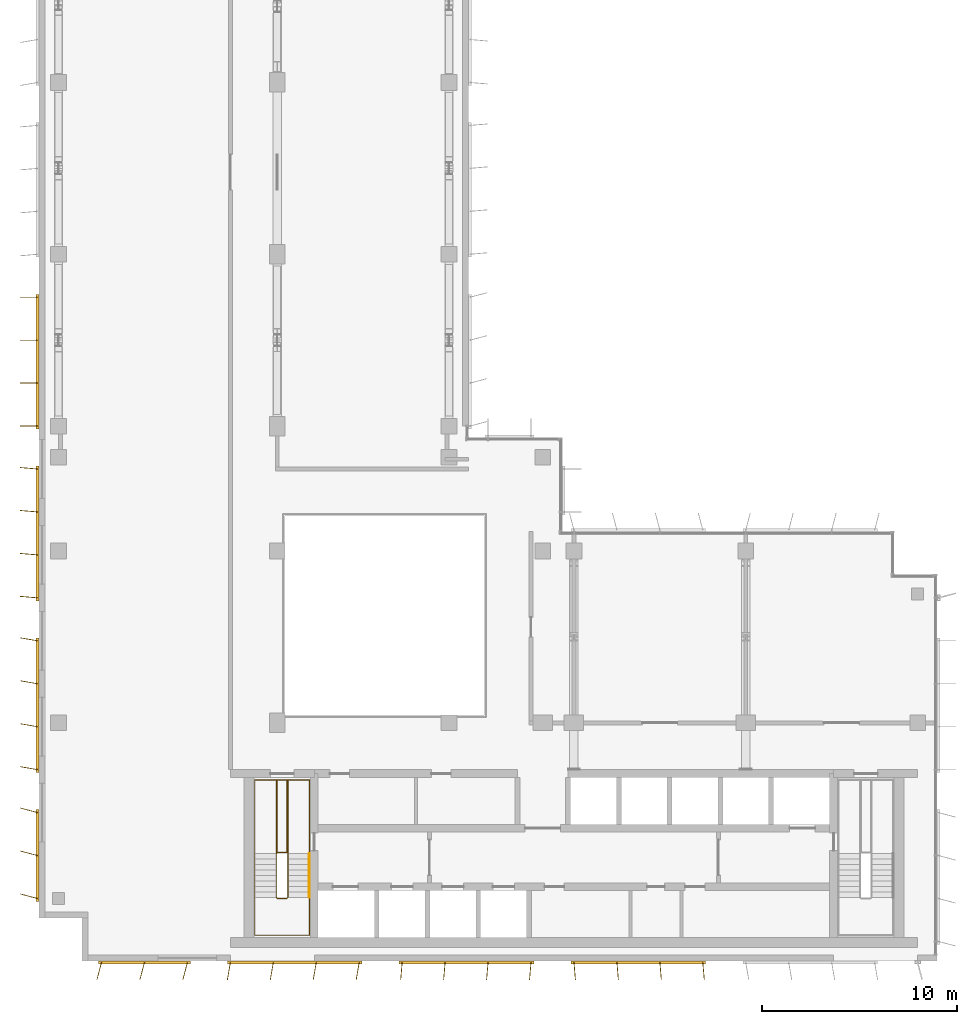
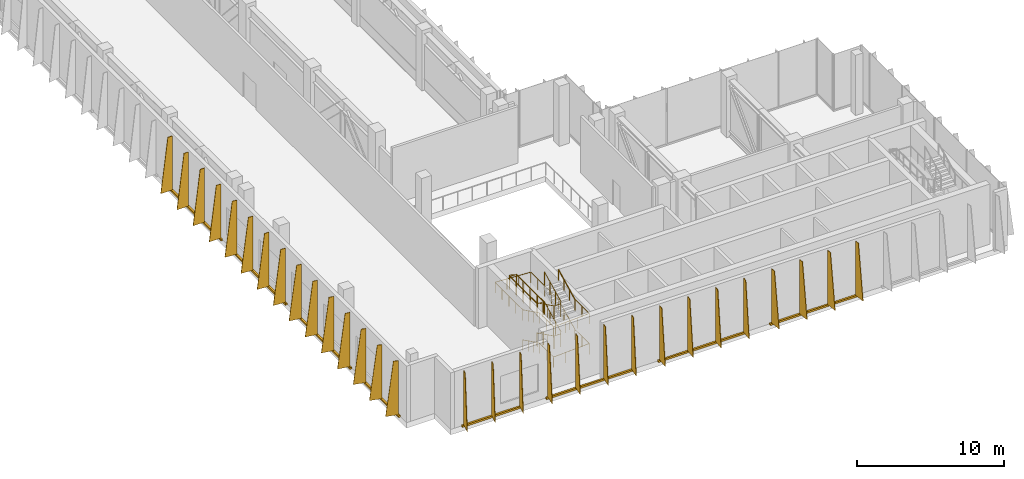
# One storey, part 10 of 13: 8 shading devices, 4 railings.
"""IFC4 building model written with IfcOpenShell, lengths in metres."""

from ifc_helpers import new_model, si_unit, direction, frame, origin, origin_2d, place, context, subcontext, project, spatial, polyline, rectangle, circle, outline, extrude, source, transform, mapped, material, layer, layer_set, type_object, element, save


model = new_model("IFC4")

# Units and contexts
model_context = context("Model", 3, precision=1e-05, world=origin(), true_north=direction((0.0, 1.0)))
body_context = subcontext(model_context, "Body", "Model", "MODEL_VIEW")
ifc_project = project(units=[si_unit("LENGTHUNIT", "METRE"), si_unit("AREAUNIT", "SQUARE_METRE"), si_unit("VOLUMEUNIT", "CUBIC_METRE"), si_unit("PLANEANGLEUNIT", "RADIAN"), si_unit("MASSUNIT", "GRAM", prefix="KILO")], contexts=[model_context])

# Site, building, storey
site_placement = place(None, origin())
site = spatial("IfcSite", under=ifc_project, at=site_placement, CompositionType="ELEMENT")
building_placement = place(site_placement, origin())
building = spatial("IfcBuilding", under=site, at=building_placement, Name="Kemantara Hotel Tower", CompositionType="ELEMENT")
storey_placement = place(building_placement, frame((0.0, 0.0, 256.10009765625)))
storey = spatial("IfcBuildingStorey", under=building, at=storey_placement, Name="L64", CompositionType="ELEMENT", Elevation=256.10009765625)

# Railings
ifc_material_1 = material(Name="Stainless steel balustrade", Category="steel")
railing_type_1 = type_object("IfcRailingType", Name="Stair guard 1100 mm", PredefinedType="GUARDRAIL", material=ifc_material_1)
railing_1_placement = place(storey_placement, frame((12.75, 5.5, 5.0)))
element("IfcRailing", 1, at=railing_1_placement, inside=storey, type_object=railing_type_1, Name="L64 ST1 stair guard 1", PredefinedType="GUARDRAIL", context=body_context, shape_type="SweptSolid", body=[
    extrude(circle(Radius=0.02392578125, at=origin_2d()), frame((0.0, 0.0, 1.076171875), z_axis=(0.0, -0.895809322535, -0.44443858705), x_axis=(1.0, 0.0, 0.0)), (0.0, 0.0, 1.0), 2.50048828125),
    extrude(circle(Radius=0.02392578125, at=origin_2d()), frame((0.0, -2.239990234375, -0.03515625), z_axis=(-0.321462751274, -0.321462751274, -0.890687037677), x_axis=(0.707106781187, -0.707106781187, 0.0)), (0.0, 0.0, 1.0), 0.15576171875),
    extrude(circle(Radius=0.02392578125, at=origin_2d()), frame((-0.050048828125, -2.2900390625, -0.173828125), z_axis=(-1.0, 0.0, 0.0), x_axis=(0.0, -1.0, 0.0)), (0.0, 0.0, 1.0), 0.5),
    extrude(circle(Radius=0.02392578125, at=origin_2d()), frame((-0.550048828125, -2.2900390625, -0.173828125), z_axis=(-0.707106781187, 0.707106781187, 0.0), x_axis=(-0.707106781187, -0.707106781187, 0.0)), (0.0, 0.0, 1.0), 0.07080078125),
    extrude(circle(Radius=0.02392578125, at=origin_2d()), frame((-0.60009765625, -2.239990234375, -0.173828125), z_axis=(0.0, 0.895809322535, -0.44443858705), x_axis=(-1.0, 0.0, 0.0)), (0.0, 0.0, 1.0), 2.50048828125),
    extrude(circle(Radius=0.02392578125, at=origin_2d()), frame((-0.60009765625, 0.0, -1.28515625), z_axis=(0.0, 1.0, 0.0), x_axis=(-1.0, 0.0, 0.0)), (0.0, 0.0, 1.0), 3.780029296875),
    extrude(circle(Radius=0.02392578125, at=origin_2d()), frame((-0.60009765625, 3.780029296875, -1.28515625), z_axis=(0.969659572532, 0.0, -0.244459226453), x_axis=(0.0, 1.0, 0.0)), (0.0, 0.0, 1.0), 0.567138671875),
    extrude(circle(Radius=0.02392578125, at=origin_2d()), frame((-0.050048828125, 3.780029296875, -1.423828125), z_axis=(0.0, -1.0, 0.0), x_axis=(1.0, 0.0, 0.0)), (0.0, 0.0, 1.0), 3.72998046875),
    extrude(circle(Radius=0.02392578125, at=origin_2d()), frame((-0.050048828125, 0.050048828125, -1.423828125), z_axis=(-1.0, 0.0, 0.0), x_axis=(0.0, -1.0, 0.0)), (0.0, 0.0, 1.0), 0.5),
    extrude(circle(Radius=0.02392578125, at=origin_2d()), frame((-0.550048828125, 0.050048828125, -1.423828125), z_axis=(0.0, 1.0, 0.0), x_axis=(-1.0, 0.0, 0.0)), (0.0, 0.0, 1.0), 3.72998046875),
    extrude(circle(Radius=0.02392578125, at=origin_2d()), frame((-0.550048828125, 3.780029296875, -1.423828125), z_axis=(1.0, 0.0, 0.0), x_axis=(0.0, 1.0, 0.0)), (0.0, 0.0, 1.0), 0.550048828125),
    extrude(circle(Radius=0.02392578125, at=origin_2d()), frame((0.0, 3.780029296875, -1.423828125), z_axis=(0.0, -1.0, 0.0), x_axis=(1.0, 0.0, 0.0)), (0.0, 0.0, 1.0), 3.780029296875),
    extrude(circle(Radius=0.02392578125, at=origin_2d()), frame((0.0, 0.0, -1.423828125), z_axis=(0.0, -0.895809322535, -0.44443858705), x_axis=(1.0, 0.0, 0.0)), (0.0, 0.0, 1.0), 2.50048828125),
    extrude(circle(Radius=0.02392578125, at=origin_2d()), frame((0.0, -2.239990234375, -2.53515625), z_axis=(-0.321462751274, -0.321462751274, -0.890687037677), x_axis=(0.707106781187, -0.707106781187, 0.0)), (0.0, 0.0, 1.0), 0.15576171875),
    extrude(circle(Radius=0.02392578125, at=origin_2d()), frame((-0.050048828125, -2.2900390625, -2.673828125), z_axis=(-1.0, 0.0, 0.0), x_axis=(0.0, -1.0, 0.0)), (0.0, 0.0, 1.0), 0.5),
    extrude(circle(Radius=0.02392578125, at=origin_2d()), frame((-0.550048828125, -2.2900390625, -2.673828125), z_axis=(-0.707106781187, 0.707106781187, 0.0), x_axis=(-0.707106781187, -0.707106781187, 0.0)), (0.0, 0.0, 1.0), 0.07080078125),
    extrude(circle(Radius=0.02392578125, at=origin_2d()), frame((-0.60009765625, -2.239990234375, -2.673828125), z_axis=(0.0, 0.895809322535, -0.44443858705), x_axis=(-1.0, 0.0, 0.0)), (0.0, 0.0, 1.0), 2.50048828125),
    extrude(circle(Radius=0.02392578125, at=origin_2d()), frame((-0.60009765625, 0.0, -3.78515625), z_axis=(0.321462751274, 0.321462751274, -0.890687037677), x_axis=(-0.707106781187, 0.707106781187, 0.0)), (0.0, 0.0, 1.0), 0.15576171875),
    extrude(circle(Radius=0.02392578125, at=origin_2d()), frame((-0.550048828125, 0.050048828125, -3.923828125), z_axis=(1.0, 0.0, 0.0), x_axis=(0.0, 1.0, 0.0)), (0.0, 0.0, 1.0), 0.5),
    extrude(circle(Radius=0.02099609375, at=origin_2d()), origin(), (0.0, 0.0, 1.0), 1.052001953125),
    extrude(circle(Radius=0.02099609375, at=origin_2d()), frame((0.0, -0.74658203125, -0.370361328125)), (0.0, 0.0, 1.0), 1.052001953125),
    extrude(circle(Radius=0.02099609375, at=origin_2d()), frame((0.0, -1.493408203125, -0.740966796875)), (0.0, 0.0, 1.0), 1.052001953125),
    extrude(circle(Radius=0.02099609375, at=origin_2d()), frame((0.0, -2.239990234375, -1.111328125)), (0.0, 0.0, 1.0), 1.052001953125),
    extrude(circle(Radius=0.02099609375, at=origin_2d()), frame((-0.050048828125, -2.2900390625, -1.25)), (0.0, 0.0, 1.0), 1.052001953125),
    extrude(circle(Radius=0.02099609375, at=origin_2d()), frame((-0.550048828125, -2.2900390625, -1.25)), (0.0, 0.0, 1.0), 1.052001953125),
    extrude(circle(Radius=0.02099609375, at=origin_2d()), frame((-0.60009765625, -2.239990234375, -1.25)), (0.0, 0.0, 1.0), 1.052001953125),
    extrude(circle(Radius=0.02099609375, at=origin_2d()), frame((-0.60009765625, -1.493408203125, -1.620361328125)), (0.0, 0.0, 1.0), 1.052001953125),
    extrude(circle(Radius=0.02099609375, at=origin_2d()), frame((-0.60009765625, -0.74658203125, -1.990966796875)), (0.0, 0.0, 1.0), 1.052001953125),
    extrude(circle(Radius=0.02099609375, at=origin_2d()), frame((-0.60009765625, 0.0, -2.361328125)), (0.0, 0.0, 1.0), 1.052001953125),
    extrude(circle(Radius=0.02099609375, at=origin_2d()), frame((-0.60009765625, 0.945068359375, -2.361328125)), (0.0, 0.0, 1.0), 1.052001953125),
    extrude(circle(Radius=0.02099609375, at=origin_2d()), frame((-0.60009765625, 1.89013671875, -2.361328125)), (0.0, 0.0, 1.0), 1.052001953125),
    extrude(circle(Radius=0.02099609375, at=origin_2d()), frame((-0.60009765625, 2.8349609375, -2.361328125)), (0.0, 0.0, 1.0), 1.052001953125),
    extrude(circle(Radius=0.02099609375, at=origin_2d()), frame((-0.60009765625, 3.780029296875, -2.361328125)), (0.0, 0.0, 1.0), 1.052001953125),
    extrude(circle(Radius=0.02099609375, at=origin_2d()), frame((-0.050048828125, 3.780029296875, -2.5)), (0.0, 0.0, 1.0), 1.052001953125),
    extrude(circle(Radius=0.02099609375, at=origin_2d()), frame((-0.050048828125, 2.84765625, -2.5)), (0.0, 0.0, 1.0), 1.052001953125),
    extrude(circle(Radius=0.02099609375, at=origin_2d()), frame((-0.050048828125, 1.9150390625, -2.5)), (0.0, 0.0, 1.0), 1.052001953125),
    extrude(circle(Radius=0.02099609375, at=origin_2d()), frame((-0.050048828125, 0.982421875, -2.5)), (0.0, 0.0, 1.0), 1.052001953125),
    extrude(circle(Radius=0.02099609375, at=origin_2d()), frame((-0.050048828125, 0.050048828125, -2.5)), (0.0, 0.0, 1.0), 1.052001953125),
    extrude(circle(Radius=0.02099609375, at=origin_2d()), frame((-0.550048828125, 0.050048828125, -2.5)), (0.0, 0.0, 1.0), 1.052001953125),
    extrude(circle(Radius=0.02099609375, at=origin_2d()), frame((-0.550048828125, 0.982421875, -2.5)), (0.0, 0.0, 1.0), 1.052001953125),
    extrude(circle(Radius=0.02099609375, at=origin_2d()), frame((-0.550048828125, 1.9150390625, -2.5)), (0.0, 0.0, 1.0), 1.052001953125),
    extrude(circle(Radius=0.02099609375, at=origin_2d()), frame((-0.550048828125, 2.84765625, -2.5)), (0.0, 0.0, 1.0), 1.052001953125),
    extrude(circle(Radius=0.02099609375, at=origin_2d()), frame((-0.550048828125, 3.780029296875, -2.5)), (0.0, 0.0, 1.0), 1.052001953125),
    extrude(circle(Radius=0.02099609375, at=origin_2d()), frame((0.0, 3.780029296875, -2.5)), (0.0, 0.0, 1.0), 1.052001953125),
    extrude(circle(Radius=0.02099609375, at=origin_2d()), frame((0.0, 2.8349609375, -2.5)), (0.0, 0.0, 1.0), 1.052001953125),
    extrude(circle(Radius=0.02099609375, at=origin_2d()), frame((0.0, 1.89013671875, -2.5)), (0.0, 0.0, 1.0), 1.052001953125),
    extrude(circle(Radius=0.02099609375, at=origin_2d()), frame((0.0, 0.945068359375, -2.5)), (0.0, 0.0, 1.0), 1.052001953125),
    extrude(circle(Radius=0.02099609375, at=origin_2d()), frame((0.0, 0.0, -2.5)), (0.0, 0.0, 1.0), 1.052001953125),
    extrude(circle(Radius=0.02099609375, at=origin_2d()), frame((0.0, -0.74658203125, -2.870361328125)), (0.0, 0.0, 1.0), 1.052001953125),
    extrude(circle(Radius=0.02099609375, at=origin_2d()), frame((0.0, -1.493408203125, -3.240966796875)), (0.0, 0.0, 1.0), 1.052001953125),
    extrude(circle(Radius=0.02099609375, at=origin_2d()), frame((0.0, -2.239990234375, -3.611328125)), (0.0, 0.0, 1.0), 1.052001953125),
    extrude(circle(Radius=0.02099609375, at=origin_2d()), frame((-0.050048828125, -2.2900390625, -3.75)), (0.0, 0.0, 1.0), 1.052001953125),
    extrude(circle(Radius=0.02099609375, at=origin_2d()), frame((-0.550048828125, -2.2900390625, -3.75)), (0.0, 0.0, 1.0), 1.052001953125),
    extrude(circle(Radius=0.02099609375, at=origin_2d()), frame((-0.60009765625, -2.239990234375, -3.75)), (0.0, 0.0, 1.0), 1.052001953125),
    extrude(circle(Radius=0.02099609375, at=origin_2d()), frame((-0.60009765625, -1.493408203125, -4.120361328125)), (0.0, 0.0, 1.0), 1.052001953125),
    extrude(circle(Radius=0.02099609375, at=origin_2d()), frame((-0.60009765625, -0.74658203125, -4.490966796875)), (0.0, 0.0, 1.0), 1.052001953125),
    extrude(circle(Radius=0.02099609375, at=origin_2d()), frame((-0.60009765625, 0.0, -4.861328125)), (0.0, 0.0, 1.0), 1.052001953125),
    extrude(circle(Radius=0.02099609375, at=origin_2d()), frame((-0.550048828125, 0.050048828125, -5.0)), (0.0, 0.0, 1.0), 1.052001953125),
    extrude(circle(Radius=0.02099609375, at=origin_2d()), frame((-0.050048828125, 0.050048828125, -5.0)), (0.0, 0.0, 1.0), 1.052001953125),
])
railing_type_2 = type_object("IfcRailingType", Name="Stair handrail 900 mm", PredefinedType="HANDRAIL", material=ifc_material_1)
railing_2_placement = place(storey_placement, frame((11.050048828125, 5.5, 0.138671875)))
element("IfcRailing", 2, at=railing_2_placement, inside=storey, type_object=railing_type_2, Name="L64 ST1 stair handrail 1", PredefinedType="HANDRAIL", context=body_context, shape_type="SweptSolid", body=[
    extrude(circle(Radius=0.02392578125, at=origin_2d()), frame((0.0, 0.0, 0.8759765625), z_axis=(0.0, -0.895809322535, 0.44443858705), x_axis=(1.0, 0.0, 0.0)), (0.0, 0.0, 1.0), 2.50048828125),
    extrude(circle(Radius=0.02392578125, at=origin_2d()), frame((0.0, -2.239990234375, 1.9873046875), z_axis=(0.0, -1.0, 0.0), x_axis=(1.0, 0.0, 0.0)), (0.0, 0.0, 1.0), 1.93994140625),
    extrude(circle(Radius=0.02392578125, at=origin_2d()), frame((0.0, -4.179931640625, 1.9873046875), z_axis=(0.998775898108, 0.0, 0.04946418259), x_axis=(0.0, 1.0, 0.0)), (0.0, 0.0, 1.0), 2.803466796875),
    extrude(circle(Radius=0.02392578125, at=origin_2d()), frame((2.800048828125, -4.179931640625, 2.1259765625), z_axis=(0.0, 1.0, 0.0), x_axis=(-1.0, 0.0, 0.0)), (0.0, 0.0, 1.0), 1.93994140625),
    extrude(circle(Radius=0.02392578125, at=origin_2d()), frame((2.800048828125, -2.239990234375, 2.1259765625), z_axis=(0.0, 0.895809322535, 0.44443858705), x_axis=(-1.0, 0.0, 0.0)), (0.0, 0.0, 1.0), 2.50048828125),
    extrude(circle(Radius=0.02099609375, at=origin_2d()), origin(), (0.0, 0.0, 1.0), 0.851806640625),
    extrude(circle(Radius=0.02099609375, at=origin_2d()), frame((0.0, -0.74658203125, 0.370361328125)), (0.0, 0.0, 1.0), 0.851806640625),
    extrude(circle(Radius=0.02099609375, at=origin_2d()), frame((0.0, -1.493408203125, 0.740966796875)), (0.0, 0.0, 1.0), 0.851806640625),
    extrude(circle(Radius=0.02099609375, at=origin_2d()), frame((0.0, -2.239990234375, 1.111328125)), (0.0, 0.0, 1.0), 0.851806640625),
    extrude(circle(Radius=0.02099609375, at=origin_2d()), frame((0.0, -3.2099609375, 1.111328125)), (0.0, 0.0, 1.0), 0.851806640625),
    extrude(circle(Radius=0.02099609375, at=origin_2d()), frame((0.0, -4.179931640625, 1.111328125)), (0.0, 0.0, 1.0), 0.851806640625),
    extrude(circle(Radius=0.02099609375, at=origin_2d()), frame((0.933349609375, -4.179931640625, 1.157470703125)), (0.0, 0.0, 1.0), 0.851806640625),
    extrude(circle(Radius=0.02099609375, at=origin_2d()), frame((1.86669921875, -4.179931640625, 1.203857421875)), (0.0, 0.0, 1.0), 0.851806640625),
    extrude(circle(Radius=0.02099609375, at=origin_2d()), frame((2.800048828125, -4.179931640625, 1.25)), (0.0, 0.0, 1.0), 0.851806640625),
    extrude(circle(Radius=0.02099609375, at=origin_2d()), frame((2.800048828125, -3.2099609375, 1.25)), (0.0, 0.0, 1.0), 0.851806640625),
    extrude(circle(Radius=0.02099609375, at=origin_2d()), frame((2.800048828125, -2.239990234375, 1.25)), (0.0, 0.0, 1.0), 0.851806640625),
    extrude(circle(Radius=0.02099609375, at=origin_2d()), frame((2.800048828125, -1.493408203125, 1.620361328125)), (0.0, 0.0, 1.0), 0.851806640625),
    extrude(circle(Radius=0.02099609375, at=origin_2d()), frame((2.800048828125, -0.74658203125, 1.990966796875)), (0.0, 0.0, 1.0), 0.851806640625),
    extrude(circle(Radius=0.02099609375, at=origin_2d()), frame((2.800048828125, 0.0, 2.361328125)), (0.0, 0.0, 1.0), 0.851806640625),
])
railing_3_placement = place(storey_placement, frame((13.85009765625, 5.5, 2.5)))
element("IfcRailing", 3, at=railing_3_placement, inside=storey, type_object=railing_type_2, Name="L64 ST1 stair handrail 2", PredefinedType="HANDRAIL", context=body_context, shape_type="SweptSolid", body=[
    extrude(circle(Radius=0.02392578125, at=origin_2d()), frame((0.0, 0.0, 0.8759765625), z_axis=(0.0, 1.0, 0.0), x_axis=(-1.0, 0.0, 0.0)), (0.0, 0.0, 1.0), 3.780029296875),
    extrude(circle(Radius=0.02392578125, at=origin_2d()), frame((0.0, 3.780029296875, 0.8759765625), z_axis=(-0.998775898108, 0.0, 0.04946418259), x_axis=(0.0, -1.0, 0.0)), (0.0, 0.0, 1.0), 2.803466796875),
    extrude(circle(Radius=0.02392578125, at=origin_2d()), frame((-2.800048828125, 3.780029296875, 1.0146484375), z_axis=(0.0, -1.0, 0.0), x_axis=(1.0, 0.0, 0.0)), (0.0, 0.0, 1.0), 3.780029296875),
    extrude(circle(Radius=0.02392578125, at=origin_2d()), frame((-2.800048828125, 0.0, 1.0146484375), z_axis=(0.0, -0.895809322535, 0.44443858705), x_axis=(1.0, 0.0, 0.0)), (0.0, 0.0, 1.0), 2.50048828125),
    extrude(circle(Radius=0.02392578125, at=origin_2d()), frame((-2.800048828125, -2.239990234375, 2.1259765625), z_axis=(0.0, -1.0, 0.0), x_axis=(1.0, 0.0, 0.0)), (0.0, 0.0, 1.0), 1.93994140625),
    extrude(circle(Radius=0.02392578125, at=origin_2d()), frame((-2.800048828125, -4.179931640625, 2.1259765625), z_axis=(0.998775898108, 0.0, 0.04946418259), x_axis=(0.0, 1.0, 0.0)), (0.0, 0.0, 1.0), 2.803466796875),
    extrude(circle(Radius=0.02392578125, at=origin_2d()), frame((0.0, -4.179931640625, 2.2646484375), z_axis=(0.0, 1.0, 0.0), x_axis=(-1.0, 0.0, 0.0)), (0.0, 0.0, 1.0), 1.93994140625),
    extrude(circle(Radius=0.02099609375, at=origin_2d()), origin(), (0.0, 0.0, 1.0), 0.851806640625),
    extrude(circle(Radius=0.02099609375, at=origin_2d()), frame((0.0, 0.945068359375, 0.0)), (0.0, 0.0, 1.0), 0.851806640625),
    extrude(circle(Radius=0.02099609375, at=origin_2d()), frame((0.0, 1.89013671875, 0.0)), (0.0, 0.0, 1.0), 0.851806640625),
    extrude(circle(Radius=0.02099609375, at=origin_2d()), frame((0.0, 2.8349609375, 0.0)), (0.0, 0.0, 1.0), 0.851806640625),
    extrude(circle(Radius=0.02099609375, at=origin_2d()), frame((0.0, 3.780029296875, 0.0)), (0.0, 0.0, 1.0), 0.851806640625),
    extrude(circle(Radius=0.02099609375, at=origin_2d()), frame((-0.933349609375, 3.780029296875, 0.046142578125)), (0.0, 0.0, 1.0), 0.851806640625),
    extrude(circle(Radius=0.02099609375, at=origin_2d()), frame((-1.86669921875, 3.780029296875, 0.092529296875)), (0.0, 0.0, 1.0), 0.851806640625),
    extrude(circle(Radius=0.02099609375, at=origin_2d()), frame((-2.800048828125, 3.780029296875, 0.138671875)), (0.0, 0.0, 1.0), 0.851806640625),
    extrude(circle(Radius=0.02099609375, at=origin_2d()), frame((-2.800048828125, 2.8349609375, 0.138671875)), (0.0, 0.0, 1.0), 0.851806640625),
    extrude(circle(Radius=0.02099609375, at=origin_2d()), frame((-2.800048828125, 1.89013671875, 0.138671875)), (0.0, 0.0, 1.0), 0.851806640625),
    extrude(circle(Radius=0.02099609375, at=origin_2d()), frame((-2.800048828125, 0.945068359375, 0.138671875)), (0.0, 0.0, 1.0), 0.851806640625),
    extrude(circle(Radius=0.02099609375, at=origin_2d()), frame((-2.800048828125, 0.0, 0.138671875)), (0.0, 0.0, 1.0), 0.851806640625),
    extrude(circle(Radius=0.02099609375, at=origin_2d()), frame((-2.800048828125, -0.74658203125, 0.509033203125)), (0.0, 0.0, 1.0), 0.851806640625),
    extrude(circle(Radius=0.02099609375, at=origin_2d()), frame((-2.800048828125, -1.493408203125, 0.879638671875)), (0.0, 0.0, 1.0), 0.851806640625),
    extrude(circle(Radius=0.02099609375, at=origin_2d()), frame((-2.800048828125, -2.239990234375, 1.25)), (0.0, 0.0, 1.0), 0.851806640625),
    extrude(circle(Radius=0.02099609375, at=origin_2d()), frame((-2.800048828125, -3.2099609375, 1.25)), (0.0, 0.0, 1.0), 0.851806640625),
    extrude(circle(Radius=0.02099609375, at=origin_2d()), frame((-2.800048828125, -4.179931640625, 1.25)), (0.0, 0.0, 1.0), 0.851806640625),
    extrude(circle(Radius=0.02099609375, at=origin_2d()), frame((-1.86669921875, -4.179931640625, 1.296142578125)), (0.0, 0.0, 1.0), 0.851806640625),
    extrude(circle(Radius=0.02099609375, at=origin_2d()), frame((-0.933349609375, -4.179931640625, 1.342529296875)), (0.0, 0.0, 1.0), 0.851806640625),
    extrude(circle(Radius=0.02099609375, at=origin_2d()), frame((0.0, -4.179931640625, 1.388671875)), (0.0, 0.0, 1.0), 0.851806640625),
    extrude(circle(Radius=0.02099609375, at=origin_2d()), frame((0.0, -3.2099609375, 1.388671875)), (0.0, 0.0, 1.0), 0.851806640625),
    extrude(circle(Radius=0.02099609375, at=origin_2d()), frame((0.0, -2.239990234375, 1.388671875)), (0.0, 0.0, 1.0), 0.851806640625),
])
railing_4_placement = place(storey_placement, frame((13.85009765625, 3.260009765625, 3.888671875)))
element("IfcRailing", 4, at=railing_4_placement, inside=storey, type_object=railing_type_2, Name="L64 ST1 stair handrail 3", PredefinedType="HANDRAIL", context=body_context, shape_type="SweptSolid", body=[
    extrude(circle(Radius=0.02392578125, at=origin_2d()), frame((0.0, 0.0, 0.8759765625), z_axis=(0.0, 0.895809322535, 0.44443858705), x_axis=(-1.0, 0.0, 0.0)), (0.0, 0.0, 1.0), 2.50048828125),
    extrude(circle(Radius=0.02099609375, at=origin_2d()), origin(), (0.0, 0.0, 1.0), 0.851806640625),
    extrude(circle(Radius=0.02099609375, at=origin_2d()), frame((0.0, 0.74658203125, 0.370361328125)), (0.0, 0.0, 1.0), 0.851806640625),
    extrude(circle(Radius=0.02099609375, at=origin_2d()), frame((0.0, 1.493408203125, 0.740966796875)), (0.0, 0.0, 1.0), 0.851806640625),
    extrude(circle(Radius=0.02099609375, at=origin_2d()), frame((0.0, 2.239990234375, 1.111328125)), (0.0, 0.0, 1.0), 0.851806640625),
])

# Shading devices
ifc_material_2 = material(Name="Perforated aluminium plate 4 mm bronze anodised", Category="aluminium")
ifc_layer_1 = layer(ifc_material_2, 0.0400390625)
ifc_layer_set_1 = layer_set([ifc_layer_1], Name="Perforated aluminium plate 4 mm bronze anodised")
shading_device_type_1 = type_object("IfcShadingDeviceType", Name="SCREEN FIN CASSETTE, 3 BLADES AT -15.0 DEG, 4500 HIGH", PredefinedType="USERDEFINED", material=ifc_layer_set_1)
shared_shape_1 = source(origin(), body_context, "Body", "SweptSolid", [
    extrude(rectangle(XDim=4.699951171875, YDim=0.14990234375, at=origin_2d()), frame((2.199951171875, -0.074951171875, -0.14990234375), z_axis=(0.0, 0.0, 1.0), x_axis=(1.0, 0.0, 0.0)), (0.0, 0.0, 1.0), 0.14990234375),
    extrude(outline(polyline([(0.0, 0.0), (0.89990234375, 0.0), (0.35009765625, 4.5), (0.0, 4.5), (0.0, 0.0)])), frame((0.019287109375, -0.080078125, 0.0), z_axis=(-0.966437683387, 0.256901156343, 0.0), x_axis=(-0.256901156343, -0.966437683387, 0.0)), (0.0, 0.0, 1.0), 0.039794921875),
    extrude(outline(polyline([(0.0, 0.0), (0.89990234375, 0.0), (0.35009765625, 4.5), (0.0, 4.5), (0.0, 0.0)])), frame((2.21923828125, -0.080078125, 0.0), z_axis=(-0.966437683387, 0.256901156343, 0.0), x_axis=(-0.256901156343, -0.966437683387, 0.0)), (0.0, 0.0, 1.0), 0.039794921875),
    extrude(outline(polyline([(0.0, 0.0), (0.89990234375, 0.0), (0.35009765625, 4.5), (0.0, 4.5), (0.0, 0.0)])), frame((4.41943359375, -0.080078125, 0.0), z_axis=(-0.966837822169, 0.255391122837, 0.0), x_axis=(-0.255391122837, -0.966837822169, 0.0)), (0.0, 0.0, 1.0), 0.0400390625),
])
for number, where, z_axis, x_axis, name in (
    (5, (0.0, 7.60009765625, 0.099853515625), (0.0, 0.0, 1.0), (0.0, -1.0, 0.0), "SCREEN FIN CASSETTE L64 T4-R05-7"),
    (6, (3.199951171875, 0.0, 0.099853515625), (0.0, 0.0, 1.0), (1.0, 0.0, 0.0), "SCREEN FIN CASSETTE L64 T4-R08-1"),
):
    element("IfcShadingDevice", number, at=place(storey_placement, frame(where, z_axis=z_axis, x_axis=x_axis)), inside=storey, type_object=shading_device_type_1, Name=name, ObjectType="SCREEN FIN", PredefinedType="USERDEFINED", context=body_context, shape_type="MappedRepresentation", body=[
        mapped(shared_shape_1, transform((0.0, 0.0, 0.0))),
    ])
ifc_layer_2 = layer(ifc_material_2, 0.0400390625)
ifc_layer_set_2 = layer_set([ifc_layer_2], Name="Perforated aluminium plate 4 mm bronze anodised")
shading_device_type_2 = type_object("IfcShadingDeviceType", Name="SCREEN FIN CASSETTE, 4 BLADES AT -10.0 DEG, 4500 HIGH", PredefinedType="USERDEFINED", material=ifc_layer_set_2)
shared_shape_2 = source(origin(), body_context, "Body", "SweptSolid", [
    extrude(rectangle(XDim=6.89990234375, YDim=0.14990234375, at=origin_2d()), frame((3.300048828125, -0.074951171875, -0.14990234375), z_axis=(0.0, 0.0, 1.0), x_axis=(1.0, 0.0, 0.0)), (0.0, 0.0, 1.0), 0.14990234375),
    extrude(outline(polyline([(0.0, 0.0), (0.89990234375, 0.0), (0.35009765625, 4.5), (0.0, 4.5), (0.0, 0.0)])), frame((0.019775390625, -0.078369140625, 0.0), z_axis=(-0.985389793052, 0.170314285219, 0.0), x_axis=(-0.170314285219, -0.985389793052, 0.0)), (0.0, 0.0, 1.0), 0.0400390625),
    extrude(outline(polyline([(0.0, 0.0), (0.89990234375, 0.0), (0.35009765625, 4.5), (0.0, 4.5), (0.0, 0.0)])), frame((2.2197265625, -0.078369140625, 0.0), z_axis=(-0.98521175482, 0.171341174751, 0.0), x_axis=(-0.171341174751, -0.98521175482, 0.0)), (0.0, 0.0, 1.0), 0.039794921875),
    extrude(outline(polyline([(0.0, 0.0), (0.89990234375, 0.0), (0.35009765625, 4.5), (0.0, 4.5), (0.0, 0.0)])), frame((4.419677734375, -0.078369140625, 0.0), z_axis=(-0.98521175482, 0.171341174751, 0.0), x_axis=(-0.171341174751, -0.98521175482, 0.0)), (0.0, 0.0, 1.0), 0.039794921875),
    extrude(outline(polyline([(0.0, 0.0), (0.89990234375, 0.0), (0.35009765625, 4.5), (0.0, 4.5), (0.0, 0.0)])), frame((6.61962890625, -0.078369140625, 0.0), z_axis=(-0.98521175482, 0.171341174751, 0.0), x_axis=(-0.171341174751, -0.98521175482, 0.0)), (0.0, 0.0, 1.0), 0.039794921875),
])
for number, where, z_axis, x_axis, name in (
    (7, (0.0, 16.39990234375, 0.099853515625), (0.0, 0.0, 1.0), (0.0, -1.0, 0.0), "SCREEN FIN CASSETTE L64 T4-R05-6"),
    (8, (9.800048828125, 0.0, 0.099853515625), (0.0, 0.0, 1.0), (1.0, 0.0, 0.0), "SCREEN FIN CASSETTE L64 T4-R08-2"),
):
    element("IfcShadingDevice", number, at=place(storey_placement, frame(where, z_axis=z_axis, x_axis=x_axis)), inside=storey, type_object=shading_device_type_2, Name=name, ObjectType="SCREEN FIN", PredefinedType="USERDEFINED", context=body_context, shape_type="MappedRepresentation", body=[
        mapped(shared_shape_2, transform((0.0, 0.0, 0.0))),
    ])
ifc_layer_3 = layer(ifc_material_2, 0.0400390625)
ifc_layer_set_3 = layer_set([ifc_layer_3], Name="Perforated aluminium plate 4 mm bronze anodised")
shading_device_type_3 = type_object("IfcShadingDeviceType", Name="SCREEN FIN CASSETTE, 4 BLADES AT -5.0 DEG, 4500 HIGH", PredefinedType="USERDEFINED", material=ifc_layer_set_3)
shared_shape_3 = source(origin(), body_context, "Body", "SweptSolid", [
    extrude(rectangle(XDim=6.89990234375, YDim=0.14990234375, at=origin_2d()), frame((3.300048828125, -0.074951171875, -0.14990234375), z_axis=(0.0, 0.0, 1.0), x_axis=(1.0, 0.0, 0.0)), (0.0, 0.0, 1.0), 0.14990234375),
    extrude(outline(polyline([(0.0, 0.0), (0.89990234375, 0.0), (0.35009765625, 4.5), (0.0, 4.5), (0.0, 0.0)])), frame((0.02001953125, -0.07666015625, 0.0), z_axis=(-0.996376129781, 0.085056498884, 0.0), x_axis=(-0.085056498884, -0.996376129781, 0.0)), (0.0, 0.0, 1.0), 0.040283203125),
    extrude(outline(polyline([(0.0, 0.0), (0.89990234375, 0.0), (0.35009765625, 4.5), (0.0, 4.5), (0.0, 0.0)])), frame((2.219970703125, -0.07666015625, 0.0), z_axis=(-0.996331773833, 0.085574508182, 0.0), x_axis=(-0.085574508182, -0.996331773833, 0.0)), (0.0, 0.0, 1.0), 0.0400390625),
    extrude(outline(polyline([(0.0, 0.0), (0.89990234375, 0.0), (0.35009765625, 4.5), (0.0, 4.5), (0.0, 0.0)])), frame((4.419921875, -0.07666015625, 0.0), z_axis=(-0.996331773833, 0.085574508182, 0.0), x_axis=(-0.085574508182, -0.996331773833, 0.0)), (0.0, 0.0, 1.0), 0.0400390625),
    extrude(outline(polyline([(0.0, 0.0), (0.89990234375, 0.0), (0.35009765625, 4.5), (0.0, 4.5), (0.0, 0.0)])), frame((6.619873046875, -0.07666015625, 0.0), z_axis=(-0.996331773833, 0.085574508182, 0.0), x_axis=(-0.085574508182, -0.996331773833, 0.0)), (0.0, 0.0, 1.0), 0.0400390625),
])
for number, where, z_axis, x_axis, name in (
    (9, (0.0, 25.199951171875, 0.099853515625), (0.0, 0.0, 1.0), (0.0, -1.0, 0.0), "SCREEN FIN CASSETTE L64 T4-R05-5"),
    (10, (18.60009765625, 0.0, 0.099853515625), (0.0, 0.0, 1.0), (1.0, 0.0, 0.0), "SCREEN FIN CASSETTE L64 T4-R08-3"),
):
    element("IfcShadingDevice", number, at=place(storey_placement, frame(where, z_axis=z_axis, x_axis=x_axis)), inside=storey, type_object=shading_device_type_3, Name=name, ObjectType="SCREEN FIN", PredefinedType="USERDEFINED", context=body_context, shape_type="MappedRepresentation", body=[
        mapped(shared_shape_3, transform((0.0, 0.0, 0.0))),
    ])
ifc_layer_4 = layer(ifc_material_2, 0.0400390625)
ifc_layer_set_4 = layer_set([ifc_layer_4], Name="Perforated aluminium plate 4 mm bronze anodised")
shading_device_type_4 = type_object("IfcShadingDeviceType", Name="SCREEN FIN CASSETTE, 4 BLADES AT +0.0 DEG, 4500 HIGH", PredefinedType="USERDEFINED", material=ifc_layer_set_4)
shared_shape_4 = source(origin(), body_context, "Body", "SweptSolid", [
    extrude(rectangle(XDim=6.89990234375, YDim=0.14990234375, at=origin_2d()), frame((3.300048828125, -0.074951171875, -0.14990234375), z_axis=(0.0, 0.0, 1.0), x_axis=(1.0, 0.0, 0.0)), (0.0, 0.0, 1.0), 0.14990234375),
    extrude(outline(polyline([(0.0, 0.0), (0.89990234375, 0.0), (0.35009765625, 4.5), (0.0, 4.5), (0.0, 0.0)])), frame((0.02001953125, -0.074951171875, 0.0), z_axis=(-1.0, 0.0, 0.0), x_axis=(0.0, -1.0, 0.0)), (0.0, 0.0, 1.0), 0.0400390625),
    extrude(outline(polyline([(0.0, 0.0), (0.89990234375, 0.0), (0.35009765625, 4.5), (0.0, 4.5), (0.0, 0.0)])), frame((2.219970703125, -0.074951171875, 0.0), z_axis=(-1.0, 0.0, 0.0), x_axis=(0.0, -1.0, 0.0)), (0.0, 0.0, 1.0), 0.0400390625),
    extrude(outline(polyline([(0.0, 0.0), (0.89990234375, 0.0), (0.35009765625, 4.5), (0.0, 4.5), (0.0, 0.0)])), frame((4.419921875, -0.074951171875, 0.0), z_axis=(-1.0, 0.0, 0.0), x_axis=(0.0, -1.0, 0.0)), (0.0, 0.0, 1.0), 0.0400390625),
    extrude(outline(polyline([(0.0, 0.0), (0.89990234375, 0.0), (0.35009765625, 4.5), (0.0, 4.5), (0.0, 0.0)])), frame((6.6201171875, -0.074951171875, 0.0), z_axis=(-1.0, 0.0, 0.0), x_axis=(0.0, -1.0, 0.0)), (0.0, 0.0, 1.0), 0.0400390625),
])
shading_device_1_placement = place(storey_placement, frame((0.0, 34.0, 0.099853515625), z_axis=(0.0, 0.0, 1.0), x_axis=(0.0, -1.0, 0.0)))
element("IfcShadingDevice", 11, at=shading_device_1_placement, inside=storey, type_object=shading_device_type_4, Name="SCREEN FIN CASSETTE L64 T4-R05-4", ObjectType="SCREEN FIN", PredefinedType="USERDEFINED", context=body_context, shape_type="MappedRepresentation", body=[
    mapped(shared_shape_4, transform((0.0, 0.0, 0.0))),
])
ifc_layer_5 = layer(ifc_material_2, 0.0400390625)
ifc_layer_set_5 = layer_set([ifc_layer_5], Name="Perforated aluminium plate 4 mm bronze anodised")
shading_device_type_5 = type_object("IfcShadingDeviceType", Name="SCREEN FIN CASSETTE, 4 BLADES AT +5.0 DEG, 4500 HIGH", PredefinedType="USERDEFINED", material=ifc_layer_set_5)
shared_shape_5 = source(origin(), body_context, "Body", "SweptSolid", [
    extrude(rectangle(XDim=6.89990234375, YDim=0.14990234375, at=origin_2d()), frame((3.300048828125, -0.074951171875, -0.14990234375), z_axis=(0.0, 0.0, 1.0), x_axis=(1.0, 0.0, 0.0)), (0.0, 0.0, 1.0), 0.14990234375),
    extrude(outline(polyline([(0.0, 0.0), (0.89990234375, 0.0), (0.35009765625, 4.5), (0.0, 4.5), (0.0, 0.0)])), frame((0.02001953125, -0.0732421875, 0.0), z_axis=(-0.996376129781, -0.085056498884, 0.0), x_axis=(0.085056498884, -0.996376129781, 0.0)), (0.0, 0.0, 1.0), 0.040283203125),
    extrude(outline(polyline([(0.0, 0.0), (0.89990234375, 0.0), (0.35009765625, 4.5), (0.0, 4.5), (0.0, 0.0)])), frame((2.219970703125, -0.0732421875, 0.0), z_axis=(-0.996331773833, -0.085574508182, 0.0), x_axis=(0.085574508182, -0.996331773833, 0.0)), (0.0, 0.0, 1.0), 0.0400390625),
    extrude(outline(polyline([(0.0, 0.0), (0.89990234375, 0.0), (0.35009765625, 4.5), (0.0, 4.5), (0.0, 0.0)])), frame((4.419921875, -0.0732421875, 0.0), z_axis=(-0.996331773833, -0.085574508182, 0.0), x_axis=(0.085574508182, -0.996331773833, 0.0)), (0.0, 0.0, 1.0), 0.0400390625),
    extrude(outline(polyline([(0.0, 0.0), (0.89990234375, 0.0), (0.35009765625, 4.5), (0.0, 4.5), (0.0, 0.0)])), frame((6.619873046875, -0.0732421875, 0.0), z_axis=(-0.996331773833, -0.085574508182, 0.0), x_axis=(0.085574508182, -0.996331773833, 0.0)), (0.0, 0.0, 1.0), 0.0400390625),
])
shading_device_2_placement = place(storey_placement, frame((27.39990234375, 0.0, 0.099853515625), z_axis=(0.0, 0.0, 1.0), x_axis=(1.0, 0.0, 0.0)))
element("IfcShadingDevice", 12, at=shading_device_2_placement, inside=storey, type_object=shading_device_type_5, Name="SCREEN FIN CASSETTE L64 T4-R08-4", ObjectType="SCREEN FIN", PredefinedType="USERDEFINED", context=body_context, shape_type="MappedRepresentation", body=[
    mapped(shared_shape_5, transform((0.0, 0.0, 0.0))),
])

save(model, "model.ifc")
